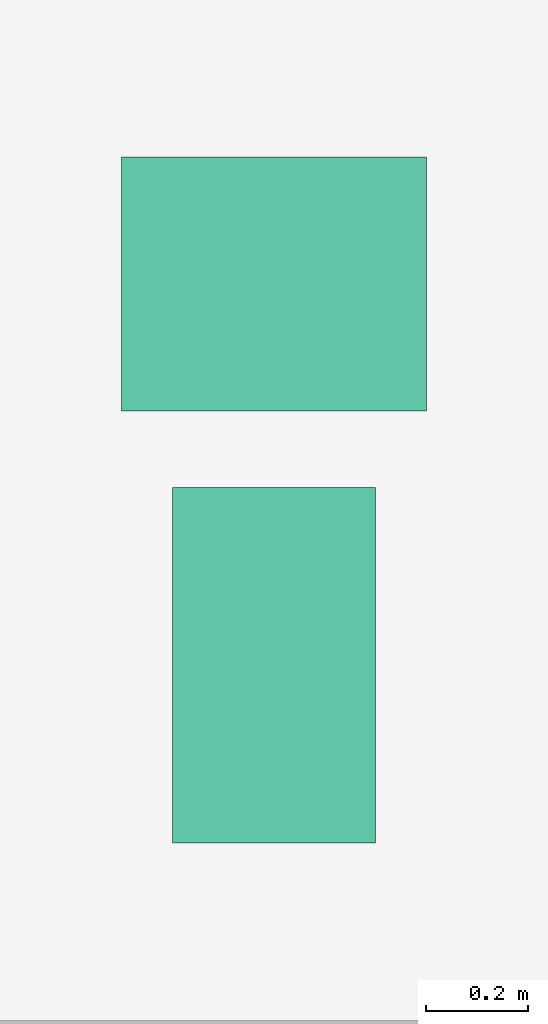
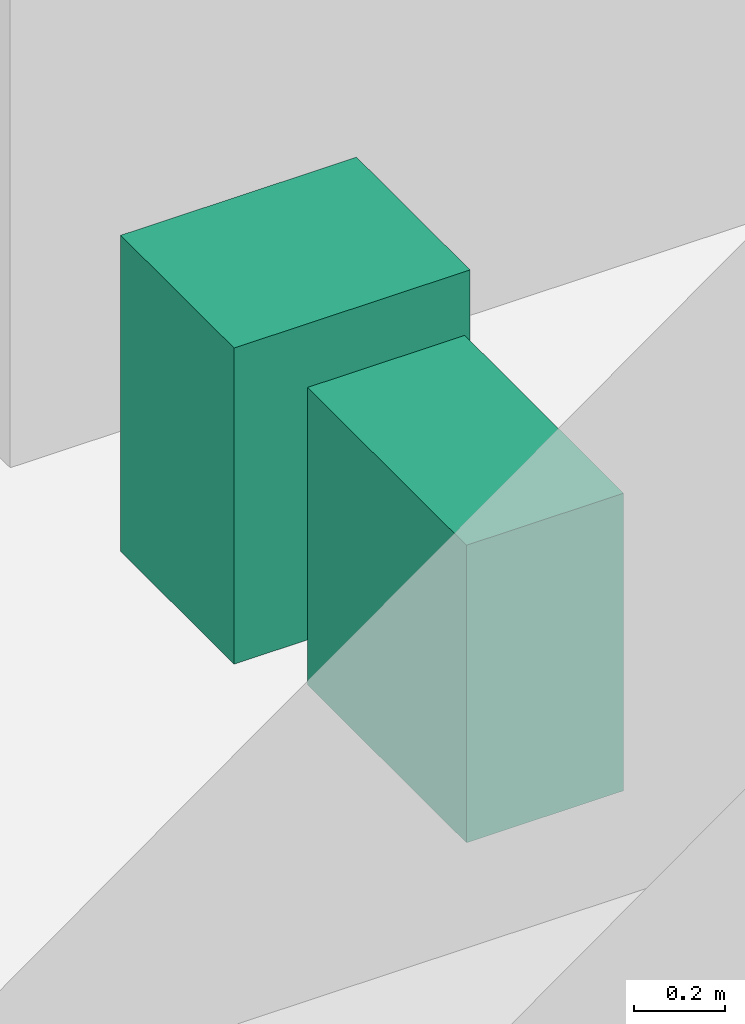
# One storey, part 32 of 32: 2 sanitary terminals.
"""IFC4 building model written with IfcOpenShell, lengths in metres."""

from ifc_helpers import new_model, si_unit, direction, frame, origin, origin_2d, place, context, subcontext, project, spatial, rectangle, extrude, element, save


model = new_model("IFC4")

# Units and contexts
model_context = context("Model", 3, precision=1e-05, world=origin(), true_north=direction((0.0, 1.0)))
body_context = subcontext(model_context, "Body", "Model", "MODEL_VIEW")
ifc_project = project(units=[si_unit("LENGTHUNIT", "METRE"), si_unit("AREAUNIT", "SQUARE_METRE"), si_unit("VOLUMEUNIT", "CUBIC_METRE"), si_unit("PLANEANGLEUNIT", "RADIAN"), si_unit("MASSUNIT", "GRAM", prefix="KILO")], contexts=[model_context])

# Site, building, storey
site_placement = place(None, origin())
site = spatial("IfcSite", under=ifc_project, at=site_placement, CompositionType="ELEMENT")
building_placement = place(site_placement, origin())
building = spatial("IfcBuilding", under=site, at=building_placement, Name="Loomwork Tower", CompositionType="ELEMENT")
storey_placement = place(building_placement, frame((0.0, 0.0, 16.0)))
storey = spatial("IfcBuildingStorey", under=building, at=storey_placement, Name="L03", CompositionType="ELEMENT", Elevation=16.0)

# Sanitary terminals
sanitary_terminal_1_placement = place(storey_placement, frame((16.199951171875, 12.10009765625, 0.0), z_axis=(0.0, 0.0, 1.0), x_axis=(1.0, 0.0, 0.0)))
element("IfcSanitaryTerminal", 1, at=sanitary_terminal_1_placement, inside=storey, Name="WC L03", PredefinedType="TOILETPAN", context=body_context, shape_type="SweptSolid", body=[
    extrude(rectangle(XDim=0.39990234375, YDim=0.699951171875, at=origin_2d()), origin(), (0.0, 0.0, 1.0), 0.800048828125),
])
sanitary_terminal_2_placement = place(storey_placement, frame((16.199951171875, 12.85009765625, 0.0), z_axis=(0.0, 0.0, 1.0), x_axis=(1.0, 0.0, 0.0)))
element("IfcSanitaryTerminal", 2, at=sanitary_terminal_2_placement, inside=storey, Name="Basin L03", PredefinedType="WASHHANDBASIN", context=body_context, shape_type="SweptSolid", body=[
    extrude(rectangle(XDim=0.60009765625, YDim=0.5, at=origin_2d()), origin(), (0.0, 0.0, 1.0), 0.85009765625),
])

save(model, "model.ifc")
